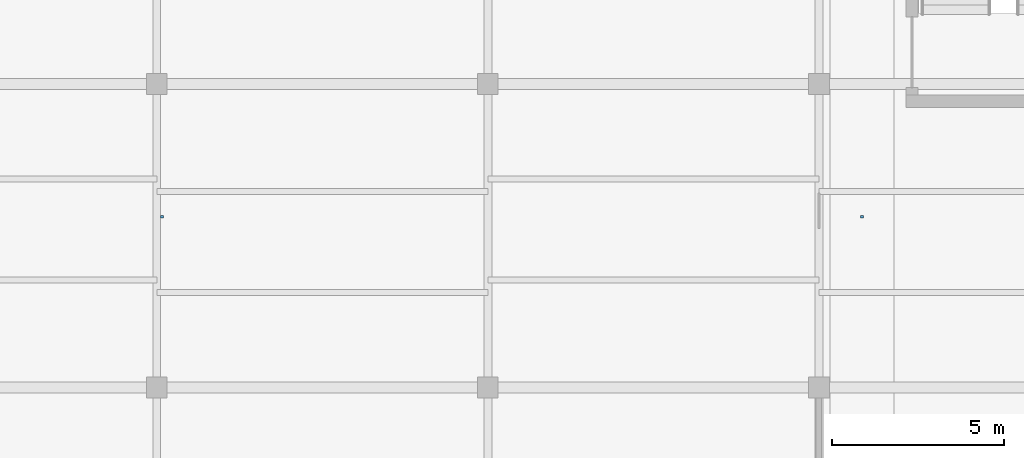
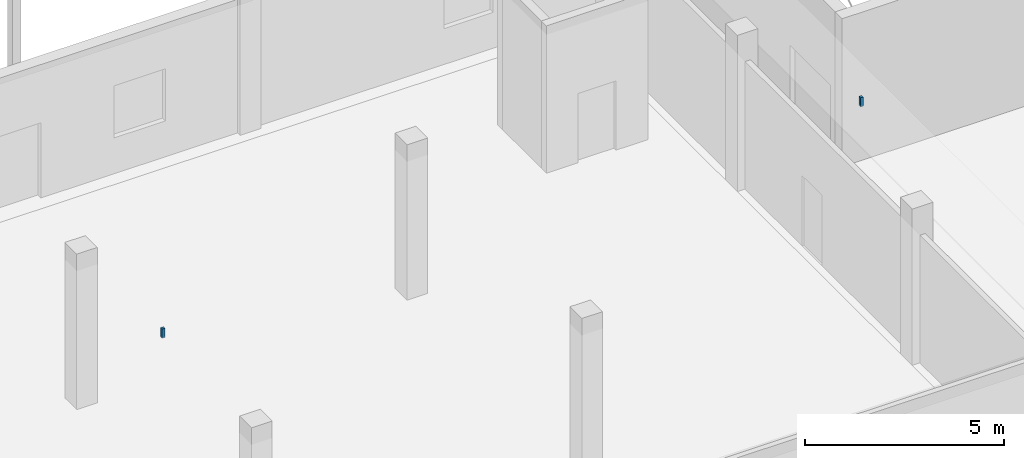
# One storey, part 103 of 116: 2 discrete accessories.
"""IFC4 building model written with IfcOpenShell, lengths in metres."""

from ifc_helpers import new_model, si_unit, direction, frame, origin, origin_2d, place, context, subcontext, project, spatial, rectangle, extrude, material, type_object, element, save


model = new_model("IFC4")

# Units and contexts
model_context = context("Model", 3, precision=1e-05, world=origin(), true_north=direction((0.0, 1.0)))
body_context = subcontext(model_context, "Body", "Model", "MODEL_VIEW")
ifc_project = project(units=[si_unit("LENGTHUNIT", "METRE"), si_unit("AREAUNIT", "SQUARE_METRE"), si_unit("VOLUMEUNIT", "CUBIC_METRE"), si_unit("PLANEANGLEUNIT", "RADIAN"), si_unit("MASSUNIT", "GRAM", prefix="KILO")], contexts=[model_context])

# Site, building, storey
site_placement = place(None, origin())
site = spatial("IfcSite", under=ifc_project, at=site_placement, CompositionType="ELEMENT")
building_placement = place(site_placement, origin())
building = spatial("IfcBuilding", under=site, at=building_placement, Name="Chalmorin Arch Market", CompositionType="ELEMENT")
storey_placement = place(building_placement, origin())
storey = spatial("IfcBuildingStorey", under=building, at=storey_placement, Name="L00", CompositionType="ELEMENT", Elevation=0.0)

# Discrete accessories
ifc_material = material(Name="Galvanized Cold-Formed Steel", Category="steel")
discrete_accessory_type = type_object("IfcDiscreteAccessoryType", Name="CeilingSuspensionBracket-80x80", PredefinedType="BRACKET", material=ifc_material)
for number, where, z_axis, x_axis, name in (
    (1, (87.64990234375, 105.75, 4.2529296875), (0.0, 0.0, 1.0), (1.0, 0.0, 0.0), "CSB-127"),
    (2, (67.35009765625, 105.75, 4.2529296875), (0.0, 0.0, 1.0), (1.0, 0.0, 0.0), "CSB-129"),
):
    element("IfcDiscreteAccessory", number, at=place(storey_placement, frame(where, z_axis=z_axis, x_axis=x_axis)), inside=storey, type_object=discrete_accessory_type, Name=name, PredefinedType="BRACKET", context=body_context, shape_type="SweptSolid", body=[
        extrude(rectangle(XDim=0.080078125, YDim=0.080078125, at=origin_2d()), origin(), (0.0, 0.0, 1.0), 0.277099609375),
    ])

save(model, "model.ifc")
